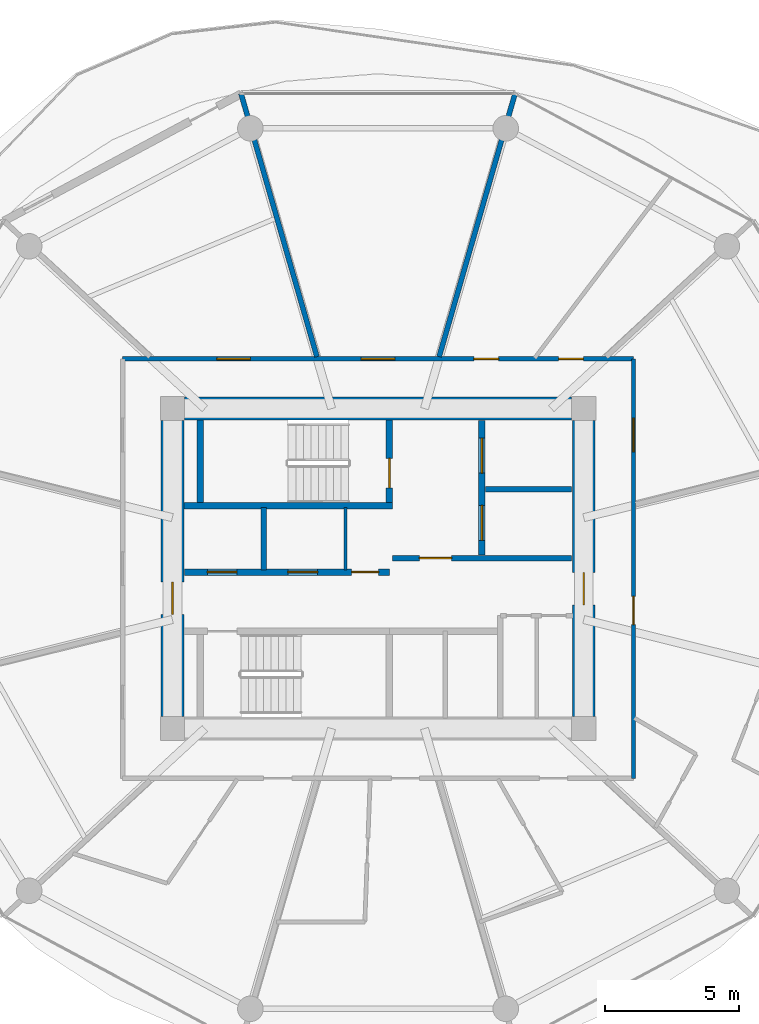
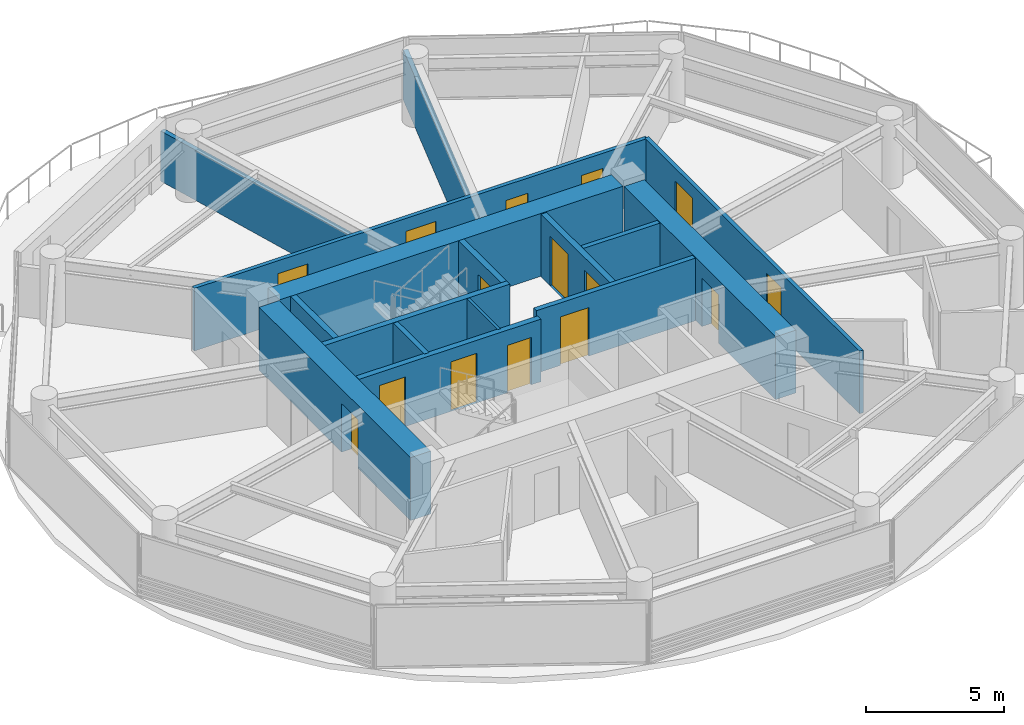
# One storey, part 19 of 26: 16 walls, 15 doors, 15 openings.
"""IFC4 building model written with IfcOpenShell, lengths in metres."""

from ifc_helpers import new_model, si_unit, direction, frame, frame_2d, origin, place, context, subcontext, project, spatial, rectangle, extrude, source, transform, mapped, material, layer, layer_set, type_object, type_shapes, element, fill, save


model = new_model("IFC4")

# Units and contexts
model_context = context("Model", 3, precision=1e-05, world=origin(), true_north=direction((0.0, 1.0)))
body_context = subcontext(model_context, "Body", "Model", "MODEL_VIEW")
ifc_project = project(units=[si_unit("LENGTHUNIT", "METRE"), si_unit("AREAUNIT", "SQUARE_METRE"), si_unit("VOLUMEUNIT", "CUBIC_METRE"), si_unit("PLANEANGLEUNIT", "RADIAN"), si_unit("MASSUNIT", "GRAM", prefix="KILO")], contexts=[model_context])

# Site, building, storey
site_placement = place(None, origin())
site = spatial("IfcSite", under=ifc_project, at=site_placement, CompositionType="ELEMENT")
building_placement = place(site_placement, origin())
building = spatial("IfcBuilding", under=site, at=building_placement, Name="Norrkilde Senior Care Towers", CompositionType="ELEMENT")
storey_placement = place(building_placement, frame((0.0, 0.0, 49.050048828125)))
storey = spatial("IfcBuildingStorey", under=building, at=storey_placement, Name="L14", CompositionType="ELEMENT", Elevation=49.050048828125)

# Wall
ifc_material_1 = material(Name="Concrete C60/75", Category="concrete")
ifc_layer_1 = layer(ifc_material_1, 0.85009765625)
ifc_layer_set_1 = layer_set([ifc_layer_1], Name="Concrete C60/75")
wall_type_1 = type_object("IfcWallType", Name="Core Shear Wall Z1 850", PredefinedType="SHEAR", material=ifc_layer_set_1)
shared_shape_1 = source(origin(), body_context, "Body", "SweptSolid", [
    extrude(rectangle(XDim=14.39990234375, YDim=0.85009765625, at=frame_2d((7.199951171875, 0.0))), origin(), (0.0, 0.0, 1.0), 2.7900390625),
])
wall_1_placement = place(storey_placement, frame((20.800048828125, 5.949951171875, 0.0), z_axis=(0.0, 0.0, 1.0), x_axis=(1.0, 0.0, 0.0)))
element("IfcWall", 1, at=wall_1_placement, inside=storey, type_object=wall_type_1, Name="L14 Core E North Shear Wall", PredefinedType="SHEAR", context=body_context, shape_type="MappedRepresentation", body=[
    mapped(shared_shape_1, transform((0.0, 0.0, 0.0), x_axis=(1.0, 0.0, 0.0), y_axis=(0.0, 1.0, 0.0), z_axis=(0.0, 0.0, 1.0), scale=1.0)),
])

# Wall, opening, door
shared_shape_2 = source(origin(), body_context, "Body", "SweptSolid", [
    extrude(rectangle(XDim=11.0, YDim=0.85009765625, at=frame_2d((5.5, 0.0))), origin(), (0.0, 0.0, 1.0), 2.7900390625),
])
type_shapes(wall_type_1, [shared_shape_1, shared_shape_2])
wall_2_placement = place(storey_placement, frame((20.35009765625, -5.5, 0.0), z_axis=(0.0, 0.0, 1.0), x_axis=(0.0, 1.0, 0.0)))
wall_2 = element("IfcWall", 2, at=wall_2_placement, inside=storey, type_object=wall_type_1, Name="L14 Core E West Shear Wall", PredefinedType="SHEAR", context=body_context, shape_type="MappedRepresentation", body=[
    mapped(shared_shape_2, transform((0.0, 0.0, 0.0), x_axis=(1.0, 0.0, 0.0), y_axis=(0.0, 1.0, 0.0), z_axis=(0.0, 0.0, 1.0), scale=1.0)),
])
opening_1_placement = place(wall_2_placement, frame((3.800048828125, 0.0, 0.0)))
opening_1 = element("IfcOpeningElement", 3, at=opening_1_placement, cuts=wall_2, Name="Opening D-04", PredefinedType="OPENING", context=body_context, shape_type="SweptSolid", body=[
    extrude(rectangle(XDim=1.199951171875, YDim=2.14990234375, at=frame_2d((0.60009765625, 1.074951171875))), frame((0.0, 0.43505859375, 0.0), z_axis=(0.0, -1.0, 0.0), x_axis=(1.0, 0.0, 0.0)), (0.0, 0.0, 1.0), 0.8701171875),
])
ifc_material_2 = material(Name="Galvanised Painted Steel", Category="steel")
door_type_1 = type_object("IfcDoorType", Name="Firefighting Lobby Fire Door 1200x2150", OperationType="NOTDEFINED", PredefinedType="DOOR", material=ifc_material_2)
shared_shape_3 = source(origin(), body_context, "Body", "SweptSolid", [
    extrude(rectangle(XDim=1.199951171875, YDim=2.14990234375, at=frame_2d((0.60009765625, 1.074951171875))), frame((0.0, 0.02490234375, 0.0), z_axis=(0.0, -1.0, 0.0), x_axis=(1.0, 0.0, 0.0)), (0.0, 0.0, 1.0), 0.050048828125),
])
type_shapes(door_type_1, [shared_shape_3])
door_1_placement = place(opening_1_placement, frame((1.199951171875, 0.0, 0.0), z_axis=(0.0, 0.0, 1.0), x_axis=(-1.0, 0.0, 0.0)))
door_1 = element("IfcDoor", 4, at=door_1_placement, inside=storey, type_object=door_type_1, Name="L14 Core E West Portal Door", OperationType="SINGLE_SWING_LEFT", OverallHeight=2.14990234375, OverallWidth=1.199951171875, PredefinedType="DOOR", context=body_context, shape_type="MappedRepresentation", body=[
    mapped(shared_shape_3, transform((0.0, 0.0, 0.0), x_axis=(1.0, 0.0, 0.0), y_axis=(0.0, 1.0, 0.0), z_axis=(0.0, 0.0, 1.0), scale=1.0)),
])
fill(opening_1, door_1)

wall_3_placement = place(storey_placement, frame((35.64990234375, 5.5, 0.0), z_axis=(0.0, 0.0, 1.0), x_axis=(0.0, -1.0, 0.0)))
wall_3 = element("IfcWall", 5, at=wall_3_placement, inside=storey, type_object=wall_type_1, Name="L14 Core E East Shear Wall", PredefinedType="SHEAR", context=body_context, shape_type="MappedRepresentation", body=[
    mapped(shared_shape_2, transform((0.0, 0.0, 0.0), x_axis=(1.0, 0.0, 0.0), y_axis=(0.0, 1.0, 0.0), z_axis=(0.0, 0.0, 1.0), scale=1.0)),
])
opening_2_placement = place(wall_3_placement, frame((5.64990234375, 0.0, 0.0)))
opening_2 = element("IfcOpeningElement", 6, at=opening_2_placement, cuts=wall_3, Name="Opening D-04", PredefinedType="OPENING", context=body_context, shape_type="SweptSolid", body=[
    extrude(rectangle(XDim=1.199951171875, YDim=2.14990234375, at=frame_2d((0.60009765625, 1.074951171875))), frame((0.0, 0.43505859375, 0.0), z_axis=(0.0, -1.0, 0.0), x_axis=(1.0, 0.0, 0.0)), (0.0, 0.0, 1.0), 0.8701171875),
])
door_2_placement = place(opening_2_placement, frame((1.199951171875, 0.0, 0.0), z_axis=(0.0, 0.0, 1.0), x_axis=(-1.0, 0.0, 0.0)))
door_2 = element("IfcDoor", 7, at=door_2_placement, inside=storey, type_object=door_type_1, Name="L14 Core E East Portal Door", OperationType="SINGLE_SWING_RIGHT", OverallHeight=2.14990234375, OverallWidth=1.199951171875, PredefinedType="DOOR", context=body_context, shape_type="MappedRepresentation", body=[
    mapped(shared_shape_3, transform((0.0, 0.0, 0.0), x_axis=(1.0, 0.0, 0.0), y_axis=(0.0, 1.0, 0.0), z_axis=(0.0, 0.0, 1.0), scale=1.0)),
])
fill(opening_2, door_2)

# Wall, openings, doors
ifc_material_3 = material(Name="Concrete C45/55", Category="concrete")
ifc_layer_2 = layer(ifc_material_3, 0.239990234375)
ifc_layer_set_2 = layer_set([ifc_layer_2], Name="Concrete C45/55")
wall_type_2 = type_object("IfcWallType", Name="Lift and Plant Rated Enclosure Partition 240", PredefinedType="PARTITIONING", material=ifc_layer_set_2)
shared_shape_4 = source(origin(), body_context, "Body", "SweptSolid", [
    extrude(rectangle(XDim=5.0, YDim=0.239990234375, at=frame_2d((2.5, 0.0))), origin(), (0.0, 0.0, 1.0), 2.77490234375),
])
wall_4_placement = place(storey_placement, frame((31.860107421875, 0.5, 0.0), z_axis=(0.0, 0.0, 1.0), x_axis=(0.0, 1.0, 0.0)))
wall_4 = element("IfcWall", 8, at=wall_4_placement, inside=storey, type_object=wall_type_2, Name="WL-INT-L14-E-FFLE", PredefinedType="PARTITIONING", context=body_context, shape_type="MappedRepresentation", body=[
    mapped(shared_shape_4, transform((0.0, 0.0, 0.0), x_axis=(1.0, 0.0, 0.0), y_axis=(0.0, 1.0, 0.0), z_axis=(0.0, 0.0, 1.0), scale=1.0)),
])
opening_3_placement = place(wall_4_placement, frame((3.050048828125, 0.0, 0.0)))
opening_3 = element("IfcOpeningElement", 9, at=opening_3_placement, cuts=wall_4, Name="Opening LD-02", PredefinedType="OPENING", context=body_context, shape_type="SweptSolid", body=[
    extrude(rectangle(XDim=1.300048828125, YDim=2.199951171875, at=frame_2d((0.64990234375, 1.10009765625))), frame((0.0, 0.1298828125, 0.0), z_axis=(0.0, -1.0, 0.0), x_axis=(1.0, 0.0, 0.0)), (0.0, 0.0, 1.0), 0.260009765625),
])
opening_4_placement = place(wall_4_placement, frame((0.550048828125, 0.0, 0.0)))
opening_4 = element("IfcOpeningElement", 10, at=opening_4_placement, cuts=wall_4, Name="Opening LD-02", PredefinedType="OPENING", context=body_context, shape_type="SweptSolid", body=[
    extrude(rectangle(XDim=1.300048828125, YDim=2.199951171875, at=frame_2d((0.64990234375, 1.10009765625))), frame((0.0, 0.1298828125, 0.0), z_axis=(0.0, -1.0, 0.0), x_axis=(1.0, 0.0, 0.0)), (0.0, 0.0, 1.0), 0.260009765625),
])
ifc_material_4 = material(Name="Stainless Steel", Category="steel")
door_type_2 = type_object("IfcDoorType", Name="Stretcher and FFL Landing Sliding Door 1300x2200", OperationType="NOTDEFINED", PredefinedType="DOOR", material=ifc_material_4)
shared_shape_5 = source(origin(), body_context, "Body", "SweptSolid", [
    extrude(rectangle(XDim=1.300048828125, YDim=2.199951171875, at=frame_2d((0.64990234375, 1.10009765625))), frame((0.0, 0.02490234375, 0.0), z_axis=(0.0, -1.0, 0.0), x_axis=(1.0, 0.0, 0.0)), (0.0, 0.0, 1.0), 0.050048828125),
])
type_shapes(door_type_2, [shared_shape_5])
door_3_placement = place(opening_3_placement, origin())
door_3 = element("IfcDoor", 11, at=door_3_placement, inside=storey, type_object=door_type_2, Name="L14 Firefighting Lift E1 Landing Door", OperationType="SLIDING_TO_LEFT", OverallHeight=2.199951171875, OverallWidth=1.300048828125, PredefinedType="DOOR", context=body_context, shape_type="MappedRepresentation", body=[
    mapped(shared_shape_5, transform((0.0, 0.0, 0.0), x_axis=(1.0, 0.0, 0.0), y_axis=(0.0, 1.0, 0.0), z_axis=(0.0, 0.0, 1.0), scale=1.0)),
])
fill(opening_3, door_3)
door_4_placement = place(opening_4_placement, origin())
door_4 = element("IfcDoor", 12, at=door_4_placement, inside=storey, type_object=door_type_2, Name="L14 Stretcher Lift E1 Landing Door", OperationType="SLIDING_TO_RIGHT", OverallHeight=2.199951171875, OverallWidth=1.300048828125, PredefinedType="DOOR", context=body_context, shape_type="MappedRepresentation", body=[
    mapped(shared_shape_5, transform((0.0, 0.0, 0.0), x_axis=(1.0, 0.0, 0.0), y_axis=(0.0, 1.0, 0.0), z_axis=(0.0, 0.0, 1.0), scale=1.0)),
])
fill(opening_4, door_4)

# Wall
ifc_layer_3 = layer(ifc_material_3, 0.199951171875)
ifc_layer_set_3 = layer_set([ifc_layer_3], Name="Concrete C45/55")
wall_type_3 = type_object("IfcWallType", Name="Shaft Division and Plant Partition 200", PredefinedType="PARTITIONING", material=ifc_layer_set_3)
shared_shape_6 = source(origin(), body_context, "Body", "SweptSolid", [
    extrude(rectangle(XDim=3.199951171875, YDim=0.199951171875, at=frame_2d((1.60009765625, 0.0))), origin(), (0.0, 0.0, 1.0), 2.77490234375),
])
wall_5_placement = place(storey_placement, frame((32.0, 2.949951171875, 0.0), z_axis=(0.0, 0.0, 1.0), x_axis=(1.0, 0.0, 0.0)))
element("IfcWall", 13, at=wall_5_placement, inside=storey, type_object=wall_type_3, Name="WL-INT-L14-E-FFLDIV", PredefinedType="PARTITIONING", context=body_context, shape_type="MappedRepresentation", body=[
    mapped(shared_shape_6, transform((0.0, 0.0, 0.0), x_axis=(1.0, 0.0, 0.0), y_axis=(0.0, 1.0, 0.0), z_axis=(0.0, 0.0, 1.0), scale=1.0)),
])

# Wall, opening, door
ifc_layer_4 = layer(ifc_material_3, 0.2099609375)
ifc_layer_set_4 = layer_set([ifc_layer_4], Name="Concrete C45/55")
wall_type_4 = type_object("IfcWallType", Name="Firefighting Lobby Wall 210", PredefinedType="PARTITIONING", material=ifc_layer_set_4)
shared_shape_7 = source(origin(), body_context, "Body", "SweptSolid", [
    extrude(rectangle(XDim=6.659912109375, YDim=0.2099609375, at=frame_2d((3.330078125, 0.0))), origin(), (0.0, 0.0, 1.0), 2.77490234375),
])
type_shapes(wall_type_4, [shared_shape_7])
wall_6_placement = place(storey_placement, frame((28.5400390625, 0.389892578125, 0.0), z_axis=(0.0, 0.0, 1.0), x_axis=(1.0, 0.0, 0.0)))
wall_6 = element("IfcWall", 14, at=wall_6_placement, inside=storey, type_object=wall_type_4, Name="WL-INT-L14-E-FFLS", PredefinedType="PARTITIONING", context=body_context, shape_type="MappedRepresentation", body=[
    mapped(shared_shape_7, transform((0.0, 0.0, 0.0), x_axis=(1.0, 0.0, 0.0), y_axis=(0.0, 1.0, 0.0), z_axis=(0.0, 0.0, 1.0), scale=1.0)),
])
opening_5_placement = place(wall_6_placement, frame((1.0, 0.0, 0.0)))
opening_5 = element("IfcOpeningElement", 15, at=opening_5_placement, cuts=wall_6, Name="Opening D-04", PredefinedType="OPENING", context=body_context, shape_type="SweptSolid", body=[
    extrude(rectangle(XDim=1.199951171875, YDim=2.14990234375, at=frame_2d((0.60009765625, 1.074951171875))), frame((0.0, 0.114990234375, 0.0), z_axis=(0.0, -1.0, 0.0), x_axis=(1.0, 0.0, 0.0)), (0.0, 0.0, 1.0), 0.22998046875),
])
door_5_placement = place(opening_5_placement, frame((1.199951171875, 0.0, 0.0), z_axis=(0.0, 0.0, 1.0), x_axis=(-1.0, 0.0, 0.0)))
door_5 = element("IfcDoor", 16, at=door_5_placement, inside=storey, type_object=door_type_1, Name="L14 Firefighting Lobby E Door", OperationType="SINGLE_SWING_LEFT", OverallHeight=2.14990234375, OverallWidth=1.199951171875, PredefinedType="DOOR", context=body_context, shape_type="MappedRepresentation", body=[
    mapped(shared_shape_3, transform((0.0, 0.0, 0.0), x_axis=(1.0, 0.0, 0.0), y_axis=(0.0, 1.0, 0.0), z_axis=(0.0, 0.0, 1.0), scale=1.0)),
])
fill(opening_5, door_5)

# Wall, openings, doors
shared_shape_8 = source(origin(), body_context, "Body", "SweptSolid", [
    extrude(rectangle(XDim=7.619873046875, YDim=0.239990234375, at=frame_2d((3.81005859375, 0.0))), origin(), (0.0, 0.0, 1.0), 2.77490234375),
])
type_shapes(wall_type_2, [shared_shape_4, shared_shape_8])
wall_7_placement = place(storey_placement, frame((20.800048828125, -0.1298828125, 0.0), z_axis=(0.0, 0.0, 1.0), x_axis=(1.0, 0.0, 0.0)))
wall_7 = element("IfcWall", 17, at=wall_7_placement, inside=storey, type_object=wall_type_2, Name="WL-INT-L14-E-PKAS", PredefinedType="PARTITIONING", context=body_context, shape_type="MappedRepresentation", body=[
    mapped(shared_shape_8, transform((0.0, 0.0, 0.0), x_axis=(1.0, 0.0, 0.0), y_axis=(0.0, 1.0, 0.0), z_axis=(0.0, 0.0, 1.0), scale=1.0)),
])
opening_6_placement = place(wall_7_placement, frame((6.219970703125, 0.0, 0.0)))
opening_6 = element("IfcOpeningElement", 18, at=opening_6_placement, cuts=wall_7, Name="Opening D-10", PredefinedType="OPENING", context=body_context, shape_type="SweptSolid", body=[
    extrude(rectangle(XDim=1.0, YDim=2.10009765625, at=frame_2d((0.5, 1.050048828125))), frame((0.0, 0.1298828125, 0.0), z_axis=(0.0, -1.0, 0.0), x_axis=(1.0, 0.0, 0.0)), (0.0, 0.0, 1.0), 0.260009765625),
])
opening_7_placement = place(wall_7_placement, frame((0.85009765625, 0.0, 0.0)))
opening_7 = element("IfcOpeningElement", 19, at=opening_7_placement, cuts=wall_7, Name="Opening LD-01", PredefinedType="OPENING", context=body_context, shape_type="SweptSolid", body=[
    extrude(rectangle(XDim=1.10009765625, YDim=2.199951171875, at=frame_2d((0.550048828125, 1.10009765625))), frame((0.0, 0.1298828125, 0.0), z_axis=(0.0, -1.0, 0.0), x_axis=(1.0, 0.0, 0.0)), (0.0, 0.0, 1.0), 0.260009765625),
])
opening_8_placement = place(wall_7_placement, frame((3.85009765625, 0.0, 0.0)))
opening_8 = element("IfcOpeningElement", 20, at=opening_8_placement, cuts=wall_7, Name="Opening LD-01", PredefinedType="OPENING", context=body_context, shape_type="SweptSolid", body=[
    extrude(rectangle(XDim=1.10009765625, YDim=2.199951171875, at=frame_2d((0.550048828125, 1.10009765625))), frame((0.0, 0.1298828125, 0.0), z_axis=(0.0, -1.0, 0.0), x_axis=(1.0, 0.0, 0.0)), (0.0, 0.0, 1.0), 0.260009765625),
])
door_type_3 = type_object("IfcDoorType", Name="Plant and Riser Rated Door 1000x2100", OperationType="NOTDEFINED", PredefinedType="DOOR", material=ifc_material_2)
shared_shape_9 = source(origin(), body_context, "Body", "SweptSolid", [
    extrude(rectangle(XDim=1.0, YDim=2.10009765625, at=frame_2d((0.5, 1.050048828125))), frame((0.0, 0.02490234375, 0.0), z_axis=(0.0, -1.0, 0.0), x_axis=(1.0, 0.0, 0.0)), (0.0, 0.0, 1.0), 0.050048828125),
])
type_shapes(door_type_3, [shared_shape_9])
door_6_placement = place(opening_6_placement, frame((1.0, 0.0, 0.0), z_axis=(0.0, 0.0, 1.0), x_axis=(-1.0, 0.0, 0.0)))
door_6 = element("IfcDoor", 21, at=door_6_placement, inside=storey, type_object=door_type_3, Name="L14 Electrical Riser E Door", OperationType="SINGLE_SWING_LEFT", OverallHeight=2.10009765625, OverallWidth=1.0, PredefinedType="DOOR", context=body_context, shape_type="MappedRepresentation", body=[
    mapped(shared_shape_9, transform((0.0, 0.0, 0.0), x_axis=(1.0, 0.0, 0.0), y_axis=(0.0, 1.0, 0.0), z_axis=(0.0, 0.0, 1.0), scale=1.0)),
])
fill(opening_6, door_6)
door_type_4 = type_object("IfcDoorType", Name="Lift Landing Sliding Door 1100x2200", OperationType="NOTDEFINED", PredefinedType="DOOR", material=ifc_material_4)
shared_shape_10 = source(origin(), body_context, "Body", "SweptSolid", [
    extrude(rectangle(XDim=1.10009765625, YDim=2.199951171875, at=frame_2d((0.550048828125, 1.10009765625))), frame((0.0, 0.02490234375, 0.0), z_axis=(0.0, -1.0, 0.0), x_axis=(1.0, 0.0, 0.0)), (0.0, 0.0, 1.0), 0.050048828125),
])
type_shapes(door_type_4, [shared_shape_10])
door_7_placement = place(opening_7_placement, origin())
door_7 = element("IfcDoor", 22, at=door_7_placement, inside=storey, type_object=door_type_4, Name="L14 Passenger Lift E1 Landing Door", OperationType="SLIDING_TO_LEFT", OverallHeight=2.199951171875, OverallWidth=1.10009765625, PredefinedType="DOOR", context=body_context, shape_type="MappedRepresentation", body=[
    mapped(shared_shape_10, transform((0.0, 0.0, 0.0), x_axis=(1.0, 0.0, 0.0), y_axis=(0.0, 1.0, 0.0), z_axis=(0.0, 0.0, 1.0), scale=1.0)),
])
fill(opening_7, door_7)
door_8_placement = place(opening_8_placement, origin())
door_8 = element("IfcDoor", 23, at=door_8_placement, inside=storey, type_object=door_type_4, Name="L14 Passenger Lift E2 Landing Door", OperationType="SLIDING_TO_RIGHT", OverallHeight=2.199951171875, OverallWidth=1.10009765625, PredefinedType="DOOR", context=body_context, shape_type="MappedRepresentation", body=[
    mapped(shared_shape_10, transform((0.0, 0.0, 0.0), x_axis=(1.0, 0.0, 0.0), y_axis=(0.0, 1.0, 0.0), z_axis=(0.0, 0.0, 1.0), scale=1.0)),
])
fill(opening_8, door_8)

# Walls
ifc_material_5 = material(Name="Gypsum Acoustic Board")
ifc_layer_5 = layer(ifc_material_5, 0.114990234375)
ifc_layer_set_5 = layer_set([ifc_layer_5], Name="Gypsum Acoustic Board")
wall_type_5 = type_object("IfcWallType", Name="Internal Room Partition 115", PredefinedType="PARTITIONING", material=ifc_layer_set_5)
shared_shape_11 = source(origin(), body_context, "Body", "SweptSolid", [
    extrude(rectangle(XDim=2.330078125, YDim=0.114990234375, at=frame_2d((1.1650390625, 0.0))), origin(), (0.0, 0.0, 1.0), 2.77490234375),
])
type_shapes(wall_type_5, [shared_shape_11])
wall_8_placement = place(storey_placement, frame((26.7900390625, -0.050048828125, 0.0), z_axis=(0.0, 0.0, 1.0), x_axis=(0.0, 1.0, 0.0)))
element("IfcWall", 24, at=wall_8_placement, inside=storey, type_object=wall_type_5, Name="WL-INT-L14-E-RISW", PredefinedType="PARTITIONING", context=body_context, shape_type="MappedRepresentation", body=[
    mapped(shared_shape_11, transform((0.0, 0.0, 0.0), x_axis=(1.0, 0.0, 0.0), y_axis=(0.0, 1.0, 0.0), z_axis=(0.0, 0.0, 1.0), scale=1.0)),
])
shared_shape_12 = source(origin(), body_context, "Body", "SweptSolid", [
    extrude(rectangle(XDim=2.330078125, YDim=0.199951171875, at=frame_2d((1.1650390625, 0.0))), origin(), (0.0, 0.0, 1.0), 2.77490234375),
])
type_shapes(wall_type_3, [shared_shape_6, shared_shape_12])
wall_9_placement = place(storey_placement, frame((23.75, -0.050048828125, 0.0), z_axis=(0.0, 0.0, 1.0), x_axis=(0.0, 1.0, 0.0)))
element("IfcWall", 25, at=wall_9_placement, inside=storey, type_object=wall_type_3, Name="WL-INT-L14-E-PL12", PredefinedType="PARTITIONING", context=body_context, shape_type="MappedRepresentation", body=[
    mapped(shared_shape_12, transform((0.0, 0.0, 0.0), x_axis=(1.0, 0.0, 0.0), y_axis=(0.0, 1.0, 0.0), z_axis=(0.0, 0.0, 1.0), scale=1.0)),
])

# Wall, openings, doors
ifc_layer_6 = layer(ifc_material_5, 0.1650390625)
ifc_layer_set_6 = layer_set([ifc_layer_6], Name="Gypsum Acoustic Board")
wall_type_6 = type_object("IfcWallType", Name="Corridor Rated Partition 165", PredefinedType="PARTITIONING", material=ifc_layer_set_6)
shared_shape_13 = source(origin(), body_context, "Body", "SweptSolid", [
    extrude(rectangle(XDim=19.0, YDim=0.1650390625, at=frame_2d((9.5, 0.0))), origin(), (0.0, 0.0, 1.0), 2.77490234375),
])
wall_10_placement = place(storey_placement, frame((18.5, 7.800048828125, 0.0), z_axis=(0.0, 0.0, 1.0), x_axis=(1.0, 0.0, 0.0)))
wall_10 = element("IfcWall", 26, at=wall_10_placement, inside=storey, type_object=wall_type_6, Name="WL-INT-L14-E-CRW-N-0", PredefinedType="PARTITIONING", context=body_context, shape_type="MappedRepresentation", body=[
    mapped(shared_shape_13, transform((0.0, 0.0, 0.0), x_axis=(1.0, 0.0, 0.0), y_axis=(0.0, 1.0, 0.0), z_axis=(0.0, 0.0, 1.0), scale=1.0)),
])
opening_9_placement = place(wall_10_placement, frame((16.213623046875, 0.0, 0.0)))
opening_9 = element("IfcOpeningElement", 27, at=opening_9_placement, cuts=wall_10, Name="Opening D-08", PredefinedType="OPENING", context=body_context, shape_type="SweptSolid", body=[
    extrude(rectangle(XDim=0.919921875, YDim=2.10009765625, at=frame_2d((0.4599609375, 1.050048828125))), frame((0.0, 0.092529296875, 0.0), z_axis=(0.0, -1.0, 0.0), x_axis=(1.0, 0.0, 0.0)), (0.0, 0.0, 1.0), 0.18505859375),
])
opening_10_placement = place(wall_10_placement, frame((13.062744140625, 0.0, 0.0)))
opening_10 = element("IfcOpeningElement", 28, at=opening_10_placement, cuts=wall_10, Name="Opening D-08", PredefinedType="OPENING", context=body_context, shape_type="SweptSolid", body=[
    extrude(rectangle(XDim=0.919921875, YDim=2.10009765625, at=frame_2d((0.4599609375, 1.050048828125))), frame((0.0, 0.092529296875, 0.0), z_axis=(0.0, -1.0, 0.0), x_axis=(1.0, 0.0, 0.0)), (0.0, 0.0, 1.0), 0.18505859375),
])
opening_11_placement = place(wall_10_placement, frame((8.875, 0.0, 0.0)))
opening_11 = element("IfcOpeningElement", 29, at=opening_11_placement, cuts=wall_10, Name="Opening D-05", PredefinedType="OPENING", context=body_context, shape_type="SweptSolid", body=[
    extrude(rectangle(XDim=1.25, YDim=2.199951171875, at=frame_2d((0.625, 1.10009765625))), frame((0.0, 0.092529296875, 0.0), z_axis=(0.0, -1.0, 0.0), x_axis=(1.0, 0.0, 0.0)), (0.0, 0.0, 1.0), 0.18505859375),
])
opening_12_placement = place(wall_10_placement, frame((3.505615234375, 0.0, 0.0)))
opening_12 = element("IfcOpeningElement", 30, at=opening_12_placement, cuts=wall_10, Name="Opening D-05", PredefinedType="OPENING", context=body_context, shape_type="SweptSolid", body=[
    extrude(rectangle(XDim=1.25, YDim=2.199951171875, at=frame_2d((0.625, 1.10009765625))), frame((0.0, 0.092529296875, 0.0), z_axis=(0.0, -1.0, 0.0), x_axis=(1.0, 0.0, 0.0)), (0.0, 0.0, 1.0), 0.18505859375),
])
ifc_material_6 = material(Name="Nordic Ash Timber", Category="wood")
door_type_5 = type_object("IfcDoorType", Name="Care Bedroom Bariatric Door 1250x2200", OperationType="NOTDEFINED", PredefinedType="DOOR", material=ifc_material_6)
shared_shape_14 = source(origin(), body_context, "Body", "SweptSolid", [
    extrude(rectangle(XDim=1.25, YDim=2.199951171875, at=frame_2d((0.625, 1.10009765625))), frame((0.0, 0.02490234375, 0.0), z_axis=(0.0, -1.0, 0.0), x_axis=(1.0, 0.0, 0.0)), (0.0, 0.0, 1.0), 0.050048828125),
])
type_shapes(door_type_5, [shared_shape_14])
door_9_placement = place(opening_11_placement, frame((1.25, 0.0, 0.0), z_axis=(0.0, 0.0, 1.0), x_axis=(-1.0, 0.0, 0.0)))
door_9 = element("IfcDoor", 31, at=door_9_placement, inside=storey, type_object=door_type_5, Name="L14 Care Coordination Charting Office Door", OperationType="SINGLE_SWING_LEFT", OverallHeight=2.199951171875, OverallWidth=1.25, PredefinedType="DOOR", context=body_context, shape_type="MappedRepresentation", body=[
    mapped(shared_shape_14, transform((0.0, 0.0, 0.0), x_axis=(1.0, 0.0, 0.0), y_axis=(0.0, 1.0, 0.0), z_axis=(0.0, 0.0, 1.0), scale=1.0)),
])
fill(opening_11, door_9)
door_10_placement = place(opening_12_placement, frame((1.25, 0.0, 0.0), z_axis=(0.0, 0.0, 1.0), x_axis=(-1.0, 0.0, 0.0)))
door_10 = element("IfcDoor", 32, at=door_10_placement, inside=storey, type_object=door_type_5, Name="L14 Resident Family Conference Room Door", OperationType="SINGLE_SWING_RIGHT", OverallHeight=2.199951171875, OverallWidth=1.25, PredefinedType="DOOR", context=body_context, shape_type="MappedRepresentation", body=[
    mapped(shared_shape_14, transform((0.0, 0.0, 0.0), x_axis=(1.0, 0.0, 0.0), y_axis=(0.0, 1.0, 0.0), z_axis=(0.0, 0.0, 1.0), scale=1.0)),
])
fill(opening_12, door_10)
door_type_6 = type_object("IfcDoorType", Name="Accessible Wet Room Door 920x2100", OperationType="NOTDEFINED", PredefinedType="DOOR", material=ifc_material_6)
shared_shape_15 = source(origin(), body_context, "Body", "SweptSolid", [
    extrude(rectangle(XDim=0.919921875, YDim=2.10009765625, at=frame_2d((0.4599609375, 1.050048828125))), frame((0.0, 0.02490234375, 0.0), z_axis=(0.0, -1.0, 0.0), x_axis=(1.0, 0.0, 0.0)), (0.0, 0.0, 1.0), 0.050048828125),
])
type_shapes(door_type_6, [shared_shape_15])
door_11_placement = place(opening_9_placement, frame((0.919921875, 0.0, 0.0), z_axis=(0.0, 0.0, 1.0), x_axis=(-1.0, 0.0, 0.0)))
door_11 = element("IfcDoor", 33, at=door_11_placement, inside=storey, type_object=door_type_6, Name="L14 Accessible Restroom Door", OperationType="SINGLE_SWING_RIGHT", OverallHeight=2.10009765625, OverallWidth=0.919921875, PredefinedType="DOOR", context=body_context, shape_type="MappedRepresentation", body=[
    mapped(shared_shape_15, transform((0.0, 0.0, 0.0), x_axis=(1.0, 0.0, 0.0), y_axis=(0.0, 1.0, 0.0), z_axis=(0.0, 0.0, 1.0), scale=1.0)),
])
fill(opening_9, door_11)
door_12_placement = place(opening_10_placement, frame((0.919921875, 0.0, 0.0), z_axis=(0.0, 0.0, 1.0), x_axis=(-1.0, 0.0, 0.0)))
door_12 = element("IfcDoor", 34, at=door_12_placement, inside=storey, type_object=door_type_6, Name="L14 Public Restroom Door", OperationType="SINGLE_SWING_LEFT", OverallHeight=2.10009765625, OverallWidth=0.919921875, PredefinedType="DOOR", context=body_context, shape_type="MappedRepresentation", body=[
    mapped(shared_shape_15, transform((0.0, 0.0, 0.0), x_axis=(1.0, 0.0, 0.0), y_axis=(0.0, 1.0, 0.0), z_axis=(0.0, 0.0, 1.0), scale=1.0)),
])
fill(opening_10, door_12)

shared_shape_16 = source(origin(), body_context, "Body", "SweptSolid", [
    extrude(rectangle(XDim=15.60009765625, YDim=0.1650390625, at=frame_2d((7.800048828125, 0.0))), origin(), (0.0, 0.0, 1.0), 2.77490234375),
])
type_shapes(wall_type_6, [shared_shape_13, shared_shape_16])
wall_11_placement = place(storey_placement, frame((37.5, 7.800048828125, 0.0), z_axis=(0.0, 0.0, 1.0), x_axis=(0.0, -1.0, 0.0)))
wall_11 = element("IfcWall", 35, at=wall_11_placement, inside=storey, type_object=wall_type_6, Name="WL-INT-L14-E-CRW-E-0", PredefinedType="PARTITIONING", context=body_context, shape_type="MappedRepresentation", body=[
    mapped(shared_shape_16, transform((0.0, 0.0, 0.0), x_axis=(1.0, 0.0, 0.0), y_axis=(0.0, 1.0, 0.0), z_axis=(0.0, 0.0, 1.0), scale=1.0)),
])
opening_13_placement = place(wall_11_placement, frame((8.834716796875, 0.0, 0.0)))
opening_13 = element("IfcOpeningElement", 36, at=opening_13_placement, cuts=wall_11, Name="Opening D-06", PredefinedType="OPENING", context=body_context, shape_type="SweptSolid", body=[
    extrude(rectangle(XDim=1.050048828125, YDim=2.14990234375, at=frame_2d((0.52490234375, 1.074951171875))), frame((0.0, 0.092529296875, 0.0), z_axis=(0.0, -1.0, 0.0), x_axis=(1.0, 0.0, 0.0)), (0.0, 0.0, 1.0), 0.18505859375),
])
opening_14_placement = place(wall_11_placement, frame((2.20849609375, 0.0, 0.0)))
opening_14 = element("IfcOpeningElement", 37, at=opening_14_placement, cuts=wall_11, Name="Opening D-05", PredefinedType="OPENING", context=body_context, shape_type="SweptSolid", body=[
    extrude(rectangle(XDim=1.25, YDim=2.199951171875, at=frame_2d((0.625, 1.10009765625))), frame((0.0, 0.092529296875, 0.0), z_axis=(0.0, -1.0, 0.0), x_axis=(1.0, 0.0, 0.0)), (0.0, 0.0, 1.0), 0.18505859375),
])
door_13_placement = place(opening_14_placement, frame((1.25, 0.0, 0.0), z_axis=(0.0, 0.0, 1.0), x_axis=(-1.0, 0.0, 0.0)))
door_13 = element("IfcDoor", 38, at=door_13_placement, inside=storey, type_object=door_type_5, Name="L14 Senior Wellness Library Lounge Door", OperationType="SINGLE_SWING_LEFT", OverallHeight=2.199951171875, OverallWidth=1.25, PredefinedType="DOOR", context=body_context, shape_type="MappedRepresentation", body=[
    mapped(shared_shape_14, transform((0.0, 0.0, 0.0), x_axis=(1.0, 0.0, 0.0), y_axis=(0.0, 1.0, 0.0), z_axis=(0.0, 0.0, 1.0), scale=1.0)),
])
fill(opening_14, door_13)
door_type_7 = type_object("IfcDoorType", Name="Apartment Entrance Fire Door 1050x2150", OperationType="NOTDEFINED", PredefinedType="DOOR", material=ifc_material_6)
shared_shape_17 = source(origin(), body_context, "Body", "SweptSolid", [
    extrude(rectangle(XDim=1.050048828125, YDim=2.14990234375, at=frame_2d((0.52490234375, 1.074951171875))), frame((0.0, 0.02490234375, 0.0), z_axis=(0.0, -1.0, 0.0), x_axis=(1.0, 0.0, 0.0)), (0.0, 0.0, 1.0), 0.050048828125),
])
type_shapes(door_type_7, [shared_shape_17])
door_14_placement = place(opening_13_placement, frame((1.050048828125, 0.0, 0.0), z_axis=(0.0, 0.0, 1.0), x_axis=(-1.0, 0.0, 0.0)))
door_14 = element("IfcDoor", 39, at=door_14_placement, inside=storey, type_object=door_type_7, Name="Apartment 14G Entrance Door", OperationType="SINGLE_SWING_LEFT", OverallHeight=2.14990234375, OverallWidth=1.050048828125, PredefinedType="DOOR", context=body_context, shape_type="MappedRepresentation", body=[
    mapped(shared_shape_17, transform((0.0, 0.0, 0.0), x_axis=(1.0, 0.0, 0.0), y_axis=(0.0, 1.0, 0.0), z_axis=(0.0, 0.0, 1.0), scale=1.0)),
])
fill(opening_13, door_14)

# Walls
ifc_layer_7 = layer(ifc_material_5, 0.18994140625)
ifc_layer_set_7 = layer_set([ifc_layer_7], Name="Gypsum Acoustic Board")
wall_type_7 = type_object("IfcWallType", Name="Unit Demising Acoustic Wall 190", PredefinedType="PARTITIONING", material=ifc_layer_set_7)
shared_shape_18 = source(origin(), body_context, "Body", "SweptSolid", [
    extrude(rectangle(XDim=10.196044921875, YDim=0.18994140625, at=frame_2d((5.09814453125, 0.0))), origin(), (0.0, 0.0, 1.0), 2.224853515625),
])
type_shapes(wall_type_7, [shared_shape_18])
for number, where, z_axis, x_axis, name in (
    (40, (30.27294921875, 7.8798828125, 0.0), (0.0, 0.0, 1.0), (0.277136420347, 0.960830580549, 0.0), "WL-INT-L14-E-DEM-02-0"),
    (41, (25.72705078125, 7.8798828125, 0.0), (0.0, 0.0, 1.0), (-0.277136420347, 0.960830580549, 0.0), "WL-INT-L14-E-DEM-03-0"),
):
    element("IfcWall", number, at=place(storey_placement, frame(where, z_axis=z_axis, x_axis=x_axis)), inside=storey, type_object=wall_type_7, Name=name, PredefinedType="PARTITIONING", context=body_context, shape_type="MappedRepresentation", body=[
        mapped(shared_shape_18, transform((0.0, 0.0, 0.0), x_axis=(1.0, 0.0, 0.0), y_axis=(0.0, 1.0, 0.0), z_axis=(0.0, 0.0, 1.0), scale=1.0)),
    ])
ifc_layer_8 = layer(ifc_material_3, 0.239990234375)
ifc_layer_set_8 = layer_set([ifc_layer_8], Name="Concrete C45/55")
wall_type_8 = type_object("IfcWallType", Name="Shaft and Stair Enclosure Wall 240", PredefinedType="PARTITIONING", material=ifc_layer_set_8)
shared_shape_19 = source(origin(), body_context, "Body", "SweptSolid", [
    extrude(rectangle(XDim=7.76513671875, YDim=0.239990234375, at=frame_2d((3.882568359375, 0.0))), origin(), (0.0, 0.0, 1.0), 2.7900390625),
])
wall_12_placement = place(storey_placement, frame((20.77490234375, 2.330078125, 0.0), z_axis=(0.0, 0.0, 1.0), x_axis=(1.0, 0.0, 0.0)))
element("IfcWall", 42, at=wall_12_placement, inside=storey, type_object=wall_type_8, Name="WL-INT-L14-E-ST1S", PredefinedType="PARTITIONING", context=body_context, shape_type="MappedRepresentation", body=[
    mapped(shared_shape_19, transform((0.0, 0.0, 0.0), x_axis=(1.0, 0.0, 0.0), y_axis=(0.0, 1.0, 0.0), z_axis=(0.0, 0.0, 1.0), scale=1.0)),
])
shared_shape_20 = source(origin(), body_context, "Body", "SweptSolid", [
    extrude(rectangle(XDim=3.074951171875, YDim=0.239990234375, at=frame_2d((1.53759765625, 0.0))), origin(), (0.0, 0.0, 1.0), 2.7900390625),
])
type_shapes(wall_type_8, [shared_shape_19, shared_shape_20])
wall_13_placement = place(storey_placement, frame((21.3798828125, 2.449951171875, 0.0), z_axis=(0.0, 0.0, 1.0), x_axis=(0.0, 1.0, 0.0)))
element("IfcWall", 43, at=wall_13_placement, inside=storey, type_object=wall_type_8, Name="WL-INT-L14-E-ST1W", PredefinedType="PARTITIONING", context=body_context, shape_type="MappedRepresentation", body=[
    mapped(shared_shape_20, transform((0.0, 0.0, 0.0), x_axis=(1.0, 0.0, 0.0), y_axis=(0.0, 1.0, 0.0), z_axis=(0.0, 0.0, 1.0), scale=1.0)),
])

# Wall, opening, door
wall_14_placement = place(storey_placement, frame((28.419921875, 2.449951171875, 0.0), z_axis=(0.0, 0.0, 1.0), x_axis=(0.0, 1.0, 0.0)))
wall_14 = element("IfcWall", 44, at=wall_14_placement, inside=storey, type_object=wall_type_8, Name="WL-INT-L14-E-ST1E", PredefinedType="PARTITIONING", context=body_context, shape_type="MappedRepresentation", body=[
    mapped(shared_shape_20, transform((0.0, 0.0, 0.0), x_axis=(1.0, 0.0, 0.0), y_axis=(0.0, 1.0, 0.0), z_axis=(0.0, 0.0, 1.0), scale=1.0)),
])
opening_15_placement = place(wall_14_placement, frame((0.550048828125, 0.0, 0.0)))
opening_15 = element("IfcOpeningElement", 45, at=opening_15_placement, cuts=wall_14, Name="Opening D-03", PredefinedType="OPENING", context=body_context, shape_type="SweptSolid", body=[
    extrude(rectangle(XDim=1.10009765625, YDim=2.14990234375, at=frame_2d((0.550048828125, 1.074951171875))), frame((0.0, 0.1298828125, 0.0), z_axis=(0.0, -1.0, 0.0), x_axis=(1.0, 0.0, 0.0)), (0.0, 0.0, 1.0), 0.260009765625),
])
door_type_8 = type_object("IfcDoorType", Name="Stairwell Protected Fire Door 1100x2150", OperationType="NOTDEFINED", PredefinedType="DOOR", material=ifc_material_2)
shared_shape_21 = source(origin(), body_context, "Body", "SweptSolid", [
    extrude(rectangle(XDim=1.10009765625, YDim=2.14990234375, at=frame_2d((0.550048828125, 1.074951171875))), frame((0.0, 0.02490234375, 0.0), z_axis=(0.0, -1.0, 0.0), x_axis=(1.0, 0.0, 0.0)), (0.0, 0.0, 1.0), 0.050048828125),
])
type_shapes(door_type_8, [shared_shape_21])
door_15_placement = place(opening_15_placement, origin())
door_15 = element("IfcDoor", 46, at=door_15_placement, inside=storey, type_object=door_type_8, Name="L14 Stair E1 Fire Door", OperationType="SINGLE_SWING_LEFT", OverallHeight=2.14990234375, OverallWidth=1.10009765625, PredefinedType="DOOR", context=body_context, shape_type="MappedRepresentation", body=[
    mapped(shared_shape_21, transform((0.0, 0.0, 0.0), x_axis=(1.0, 0.0, 0.0), y_axis=(0.0, 1.0, 0.0), z_axis=(0.0, 0.0, 1.0), scale=1.0)),
])
fill(opening_15, door_15)

save(model, "model.ifc")
